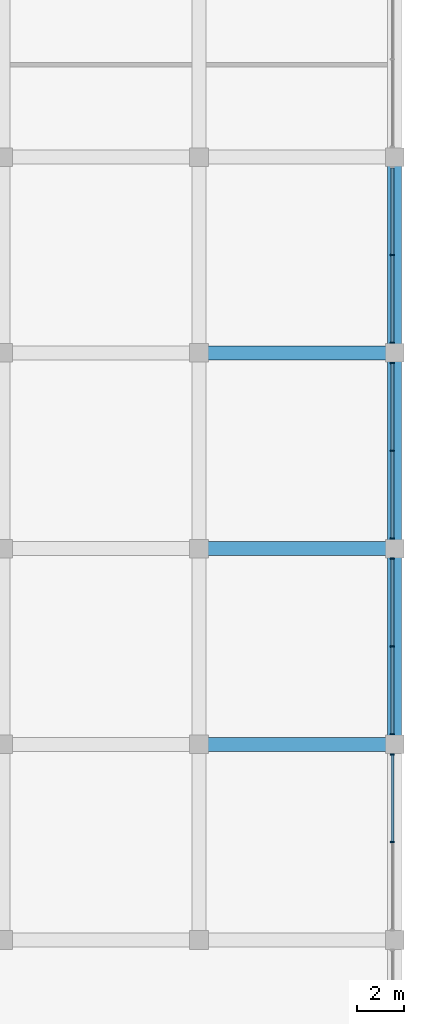
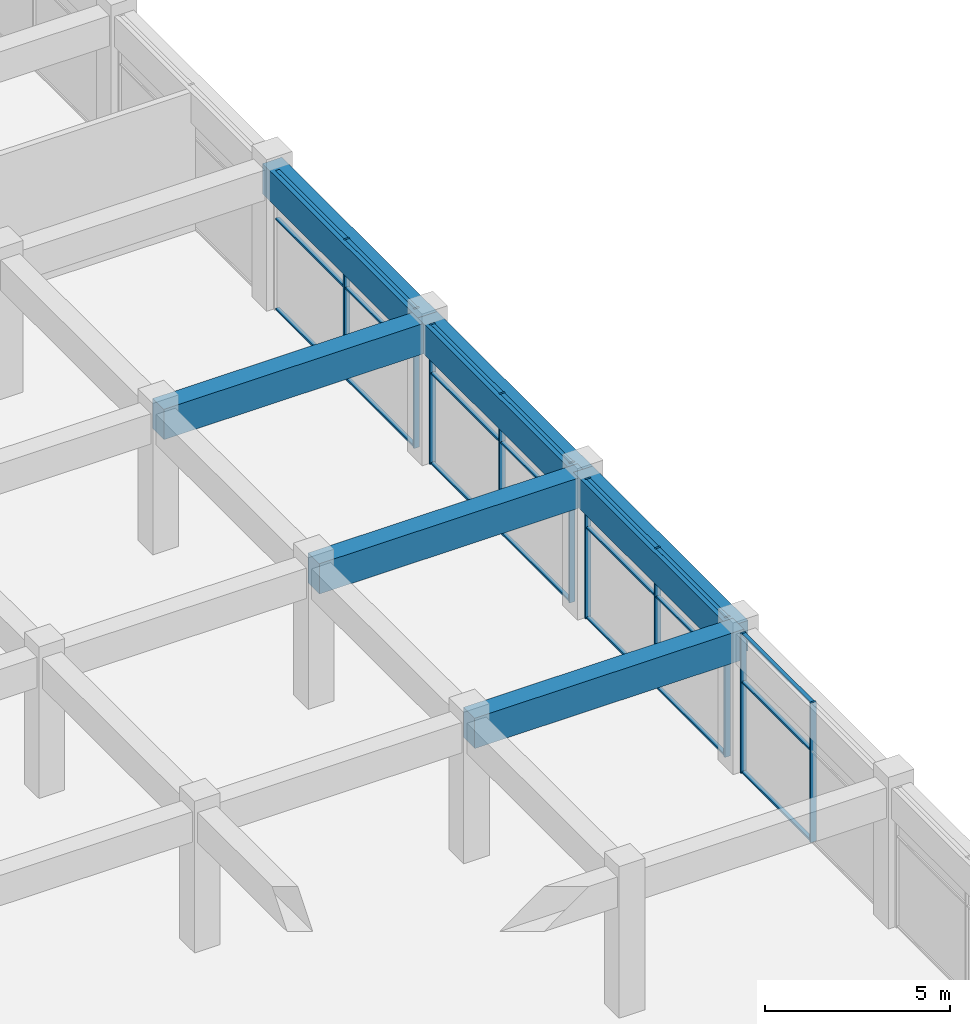
# One storey, part 16 of 33: 31 members, 6 beams, 4 elements without a shape of their own.
"""IFC4 building model written with IfcOpenShell, lengths in metres."""

from ifc_helpers import new_model, si_unit, direction, frame, origin, origin_2d, place, context, subcontext, project, spatial, rectangle, extrude, material, material_profile, profile_set, type_object, element, aggregate, save


model = new_model("IFC4")

# Units and contexts
model_context = context("Model", 3, precision=1e-05, world=origin(), true_north=direction((0.0, 1.0)))
body_context = subcontext(model_context, "Body", "Model", "MODEL_VIEW")
ifc_project = project(units=[si_unit("LENGTHUNIT", "METRE"), si_unit("AREAUNIT", "SQUARE_METRE"), si_unit("VOLUMEUNIT", "CUBIC_METRE"), si_unit("PLANEANGLEUNIT", "RADIAN"), si_unit("MASSUNIT", "GRAM", prefix="KILO")], contexts=[model_context])

# Site, building, storey
site_placement = place(None, origin())
site = spatial("IfcSite", under=ifc_project, at=site_placement, CompositionType="ELEMENT")
building_placement = place(site_placement, origin())
building = spatial("IfcBuilding", under=site, at=building_placement, Name="Impinga Residences", CompositionType="ELEMENT")
storey_placement = place(building_placement, frame((0.0, 0.0, 21.0)))
storey = spatial("IfcBuildingStorey", under=building, at=storey_placement, Name="L04", CompositionType="ELEMENT", Elevation=21.0)

# Curtain wall, members
ifc_material_1 = material(Name="Aluminium stick curtain wall", Category="aluminium")
curtain_wall_type = type_object("IfcCurtainWallType", Name="CW1 podium amenity curtain wall", PredefinedType="USERDEFINED", material=ifc_material_1)
curtain_wall_1_placement = place(storey_placement, origin())
curtain_wall_1 = element("IfcCurtainWall", 1, at=curtain_wall_1_placement, inside=storey, type_object=curtain_wall_type, Name="Curtain wall CW1 L04", ObjectType="STICK CURTAIN WALL", PredefinedType="USERDEFINED")
ifc_material_2 = material(Name="Aluminium mullion", Category="aluminium")
ifc_material_profile_1 = material_profile(ifc_material_2, rectangle(XDim=0.06005859375, YDim=0.179931640625, at=origin_2d()), Name="60x180 mullion")
ifc_profile_set_1 = profile_set([ifc_material_profile_1], Name="Aluminium mullion")
member_type_1 = type_object("IfcMemberType", Name="CW1-M mullion 60x180", PredefinedType="MULLION", material=ifc_profile_set_1)
member_1_placement = place(storey_placement, frame((50.300048828125, 29.39990234375, 0.0), z_axis=(0.0, 0.0, 1.0), x_axis=(0.0, -1.0, 0.0)))
member_1 = element("IfcMember", 2, at=member_1_placement, type_object=member_type_1, Name="CW1 mullion 2", PredefinedType="MULLION", context=body_context, shape_type="SweptSolid", body=[
    extrude(rectangle(XDim=0.06005859375, YDim=0.179931640625, at=origin_2d()), origin(), (0.0, 0.0, 1.0), 4.60009765625),
])
member_2_placement = place(storey_placement, frame((50.300048828125, 25.633056640625, 0.0), z_axis=(0.0, 0.0, 1.0), x_axis=(0.0, -1.0, 0.0)))
member_2 = element("IfcMember", 3, at=member_2_placement, type_object=member_type_1, Name="CW1 mullion 3", PredefinedType="MULLION", context=body_context, shape_type="SweptSolid", body=[
    extrude(rectangle(XDim=0.06005859375, YDim=0.179931640625, at=origin_2d()), origin(), (0.0, 0.0, 1.0), 4.60009765625),
])

curtain_wall_2_placement = place(storey_placement, origin())
curtain_wall_2 = element("IfcCurtainWall", 4, at=curtain_wall_2_placement, inside=storey, type_object=curtain_wall_type, Name="Curtain wall CW1 L04", ObjectType="STICK CURTAIN WALL", PredefinedType="USERDEFINED")
member_3_placement = place(storey_placement, frame((50.300048828125, 24.76708984375, 0.0), z_axis=(0.0, 0.0, 1.0), x_axis=(0.0, -1.0, 0.0)))
member_3 = element("IfcMember", 5, at=member_3_placement, type_object=member_type_1, Name="CW1 mullion 1", PredefinedType="MULLION", context=body_context, shape_type="SweptSolid", body=[
    extrude(rectangle(XDim=0.06005859375, YDim=0.179931640625, at=origin_2d()), origin(), (0.0, 0.0, 1.0), 4.60009765625),
])
member_4_placement = place(storey_placement, frame((50.300048828125, 21.0, 0.0), z_axis=(0.0, 0.0, 1.0), x_axis=(0.0, -1.0, 0.0)))
member_4 = element("IfcMember", 6, at=member_4_placement, type_object=member_type_1, Name="CW1 mullion 2", PredefinedType="MULLION", context=body_context, shape_type="SweptSolid", body=[
    extrude(rectangle(XDim=0.06005859375, YDim=0.179931640625, at=origin_2d()), origin(), (0.0, 0.0, 1.0), 4.60009765625),
])
member_5_placement = place(storey_placement, frame((50.300048828125, 17.23291015625, 0.0), z_axis=(0.0, 0.0, 1.0), x_axis=(0.0, -1.0, 0.0)))
member_5 = element("IfcMember", 7, at=member_5_placement, type_object=member_type_1, Name="CW1 mullion 3", PredefinedType="MULLION", context=body_context, shape_type="SweptSolid", body=[
    extrude(rectangle(XDim=0.06005859375, YDim=0.179931640625, at=origin_2d()), origin(), (0.0, 0.0, 1.0), 4.60009765625),
])

curtain_wall_3_placement = place(storey_placement, origin())
curtain_wall_3 = element("IfcCurtainWall", 8, at=curtain_wall_3_placement, inside=storey, type_object=curtain_wall_type, Name="Curtain wall CW1 L04", ObjectType="STICK CURTAIN WALL", PredefinedType="USERDEFINED")
member_6_placement = place(storey_placement, frame((50.300048828125, 16.366943359375, 0.0), z_axis=(0.0, 0.0, 1.0), x_axis=(0.0, -1.0, 0.0)))
member_6 = element("IfcMember", 9, at=member_6_placement, type_object=member_type_1, Name="CW1 mullion 1", PredefinedType="MULLION", context=body_context, shape_type="SweptSolid", body=[
    extrude(rectangle(XDim=0.06005859375, YDim=0.179931640625, at=origin_2d()), origin(), (0.0, 0.0, 1.0), 4.60009765625),
])
member_7_placement = place(storey_placement, frame((50.300048828125, 12.60009765625, 0.0), z_axis=(0.0, 0.0, 1.0), x_axis=(0.0, -1.0, 0.0)))
member_7 = element("IfcMember", 10, at=member_7_placement, type_object=member_type_1, Name="CW1 mullion 2", PredefinedType="MULLION", context=body_context, shape_type="SweptSolid", body=[
    extrude(rectangle(XDim=0.06005859375, YDim=0.179931640625, at=origin_2d()), origin(), (0.0, 0.0, 1.0), 4.60009765625),
])
member_8_placement = place(storey_placement, frame((50.300048828125, 8.8330078125, 0.0), z_axis=(0.0, 0.0, 1.0), x_axis=(0.0, -1.0, 0.0)))
member_8 = element("IfcMember", 11, at=member_8_placement, type_object=member_type_1, Name="CW1 mullion 3", PredefinedType="MULLION", context=body_context, shape_type="SweptSolid", body=[
    extrude(rectangle(XDim=0.06005859375, YDim=0.179931640625, at=origin_2d()), origin(), (0.0, 0.0, 1.0), 4.60009765625),
])

curtain_wall_4_placement = place(storey_placement, origin())
curtain_wall_4 = element("IfcCurtainWall", 12, at=curtain_wall_4_placement, inside=storey, type_object=curtain_wall_type, Name="Curtain wall CW1 L04", ObjectType="STICK CURTAIN WALL", PredefinedType="USERDEFINED")
member_9_placement = place(storey_placement, frame((50.300048828125, 7.967041015625, 0.0), z_axis=(0.0, 0.0, 1.0), x_axis=(0.0, -1.0, 0.0)))
member_9 = element("IfcMember", 13, at=member_9_placement, type_object=member_type_1, Name="CW1 mullion 1", PredefinedType="MULLION", context=body_context, shape_type="SweptSolid", body=[
    extrude(rectangle(XDim=0.06005859375, YDim=0.179931640625, at=origin_2d()), origin(), (0.0, 0.0, 1.0), 4.60009765625),
])
member_10_placement = place(storey_placement, frame((50.300048828125, 4.199951171875, 0.0), z_axis=(0.0, 0.0, 1.0), x_axis=(0.0, -1.0, 0.0)))
member_10 = element("IfcMember", 14, at=member_10_placement, type_object=member_type_1, Name="CW1 mullion 2", PredefinedType="MULLION", context=body_context, shape_type="SweptSolid", body=[
    extrude(rectangle(XDim=0.06005859375, YDim=0.179931640625, at=origin_2d()), origin(), (0.0, 0.0, 1.0), 4.60009765625),
])

# Member
ifc_material_3 = material(Name="Aluminium transom", Category="aluminium")
ifc_material_profile_2 = material_profile(ifc_material_3, rectangle(XDim=0.06005859375, YDim=0.1201171875, at=origin_2d()), Name="60x120 transom")
ifc_profile_set_2 = profile_set([ifc_material_profile_2], Name="Aluminium transom")
member_type_2 = type_object("IfcMemberType", Name="CW1-T transom 60x120", PredefinedType="USERDEFINED", material=ifc_profile_set_2)
member_11_placement = place(storey_placement, frame((50.300048828125, 33.136962890625, 0.030029296875), z_axis=(0.0, -1.0, 0.0), x_axis=(0.0, 0.0, 1.0)))
member_11 = element("IfcMember", 15, at=member_11_placement, type_object=member_type_2, Name="CW1 transom 1.1", ObjectType="TRANSOM", PredefinedType="USERDEFINED", context=body_context, shape_type="SweptSolid", body=[
    extrude(rectangle(XDim=0.06005859375, YDim=0.1201171875, at=origin_2d()), origin(), (0.0, 0.0, 1.0), 3.70703125),
])

member_12_placement = place(storey_placement, frame((50.300048828125, 33.136962890625, 3.0), z_axis=(0.0, -1.0, 0.0), x_axis=(0.0, 0.0, 1.0)))
member_12 = element("IfcMember", 16, at=member_12_placement, type_object=member_type_2, Name="CW1 transom 1.2", ObjectType="TRANSOM", PredefinedType="USERDEFINED", context=body_context, shape_type="SweptSolid", body=[
    extrude(rectangle(XDim=0.06005859375, YDim=0.1201171875, at=origin_2d()), origin(), (0.0, 0.0, 1.0), 3.70703125),
])

member_13_placement = place(storey_placement, frame((50.300048828125, 33.136962890625, 4.570068359375), z_axis=(0.0, -1.0, 0.0), x_axis=(0.0, 0.0, 1.0)))
member_13 = element("IfcMember", 17, at=member_13_placement, type_object=member_type_2, Name="CW1 transom 1.3", ObjectType="TRANSOM", PredefinedType="USERDEFINED", context=body_context, shape_type="SweptSolid", body=[
    extrude(rectangle(XDim=0.06005859375, YDim=0.1201171875, at=origin_2d()), origin(), (0.0, 0.0, 1.0), 3.70703125),
])

member_14_placement = place(storey_placement, frame((50.300048828125, 29.3701171875, 0.030029296875), z_axis=(0.0, -1.0, 0.0), x_axis=(0.0, 0.0, 1.0)))
member_14 = element("IfcMember", 18, at=member_14_placement, type_object=member_type_2, Name="CW1 transom 2.1", ObjectType="TRANSOM", PredefinedType="USERDEFINED", context=body_context, shape_type="SweptSolid", body=[
    extrude(rectangle(XDim=0.06005859375, YDim=0.1201171875, at=origin_2d()), origin(), (0.0, 0.0, 1.0), 3.70703125),
])

member_15_placement = place(storey_placement, frame((50.300048828125, 29.3701171875, 3.0), z_axis=(0.0, -1.0, 0.0), x_axis=(0.0, 0.0, 1.0)))
member_15 = element("IfcMember", 19, at=member_15_placement, type_object=member_type_2, Name="CW1 transom 2.2", ObjectType="TRANSOM", PredefinedType="USERDEFINED", context=body_context, shape_type="SweptSolid", body=[
    extrude(rectangle(XDim=0.06005859375, YDim=0.1201171875, at=origin_2d()), origin(), (0.0, 0.0, 1.0), 3.70703125),
])

member_16_placement = place(storey_placement, frame((50.300048828125, 29.3701171875, 4.570068359375), z_axis=(0.0, -1.0, 0.0), x_axis=(0.0, 0.0, 1.0)))
member_16 = element("IfcMember", 20, at=member_16_placement, type_object=member_type_2, Name="CW1 transom 2.3", ObjectType="TRANSOM", PredefinedType="USERDEFINED", context=body_context, shape_type="SweptSolid", body=[
    extrude(rectangle(XDim=0.06005859375, YDim=0.1201171875, at=origin_2d()), origin(), (0.0, 0.0, 1.0), 3.70703125),
])

aggregate(curtain_wall_1, [member_1, member_2, member_11, member_12, member_13, member_14, member_15, member_16])

member_17_placement = place(storey_placement, frame((50.300048828125, 24.737060546875, 0.030029296875), z_axis=(0.0, -1.0, 0.0), x_axis=(0.0, 0.0, 1.0)))
member_17 = element("IfcMember", 21, at=member_17_placement, type_object=member_type_2, Name="CW1 transom 1.1", ObjectType="TRANSOM", PredefinedType="USERDEFINED", context=body_context, shape_type="SweptSolid", body=[
    extrude(rectangle(XDim=0.06005859375, YDim=0.1201171875, at=origin_2d()), origin(), (0.0, 0.0, 1.0), 3.70703125),
])

member_18_placement = place(storey_placement, frame((50.300048828125, 24.737060546875, 3.0), z_axis=(0.0, -1.0, 0.0), x_axis=(0.0, 0.0, 1.0)))
member_18 = element("IfcMember", 22, at=member_18_placement, type_object=member_type_2, Name="CW1 transom 1.2", ObjectType="TRANSOM", PredefinedType="USERDEFINED", context=body_context, shape_type="SweptSolid", body=[
    extrude(rectangle(XDim=0.06005859375, YDim=0.1201171875, at=origin_2d()), origin(), (0.0, 0.0, 1.0), 3.70703125),
])

member_19_placement = place(storey_placement, frame((50.300048828125, 24.737060546875, 4.570068359375), z_axis=(0.0, -1.0, 0.0), x_axis=(0.0, 0.0, 1.0)))
member_19 = element("IfcMember", 23, at=member_19_placement, type_object=member_type_2, Name="CW1 transom 1.3", ObjectType="TRANSOM", PredefinedType="USERDEFINED", context=body_context, shape_type="SweptSolid", body=[
    extrude(rectangle(XDim=0.06005859375, YDim=0.1201171875, at=origin_2d()), origin(), (0.0, 0.0, 1.0), 3.70703125),
])

member_20_placement = place(storey_placement, frame((50.300048828125, 20.969970703125, 0.030029296875), z_axis=(0.0, -1.0, 0.0), x_axis=(0.0, 0.0, 1.0)))
member_20 = element("IfcMember", 24, at=member_20_placement, type_object=member_type_2, Name="CW1 transom 2.1", ObjectType="TRANSOM", PredefinedType="USERDEFINED", context=body_context, shape_type="SweptSolid", body=[
    extrude(rectangle(XDim=0.06005859375, YDim=0.1201171875, at=origin_2d()), origin(), (0.0, 0.0, 1.0), 3.70703125),
])

member_21_placement = place(storey_placement, frame((50.300048828125, 20.969970703125, 3.0), z_axis=(0.0, -1.0, 0.0), x_axis=(0.0, 0.0, 1.0)))
member_21 = element("IfcMember", 25, at=member_21_placement, type_object=member_type_2, Name="CW1 transom 2.2", ObjectType="TRANSOM", PredefinedType="USERDEFINED", context=body_context, shape_type="SweptSolid", body=[
    extrude(rectangle(XDim=0.06005859375, YDim=0.1201171875, at=origin_2d()), origin(), (0.0, 0.0, 1.0), 3.70703125),
])

member_22_placement = place(storey_placement, frame((50.300048828125, 20.969970703125, 4.570068359375), z_axis=(0.0, -1.0, 0.0), x_axis=(0.0, 0.0, 1.0)))
member_22 = element("IfcMember", 26, at=member_22_placement, type_object=member_type_2, Name="CW1 transom 2.3", ObjectType="TRANSOM", PredefinedType="USERDEFINED", context=body_context, shape_type="SweptSolid", body=[
    extrude(rectangle(XDim=0.06005859375, YDim=0.1201171875, at=origin_2d()), origin(), (0.0, 0.0, 1.0), 3.70703125),
])

aggregate(curtain_wall_2, [member_3, member_4, member_5, member_17, member_18, member_19, member_20, member_21, member_22])

member_23_placement = place(storey_placement, frame((50.300048828125, 16.3369140625, 0.030029296875), z_axis=(0.0, -1.0, 0.0), x_axis=(0.0, 0.0, 1.0)))
member_23 = element("IfcMember", 27, at=member_23_placement, type_object=member_type_2, Name="CW1 transom 1.1", ObjectType="TRANSOM", PredefinedType="USERDEFINED", context=body_context, shape_type="SweptSolid", body=[
    extrude(rectangle(XDim=0.06005859375, YDim=0.1201171875, at=origin_2d()), origin(), (0.0, 0.0, 1.0), 3.70703125),
])

member_24_placement = place(storey_placement, frame((50.300048828125, 16.3369140625, 3.0), z_axis=(0.0, -1.0, 0.0), x_axis=(0.0, 0.0, 1.0)))
member_24 = element("IfcMember", 28, at=member_24_placement, type_object=member_type_2, Name="CW1 transom 1.2", ObjectType="TRANSOM", PredefinedType="USERDEFINED", context=body_context, shape_type="SweptSolid", body=[
    extrude(rectangle(XDim=0.06005859375, YDim=0.1201171875, at=origin_2d()), origin(), (0.0, 0.0, 1.0), 3.70703125),
])

member_25_placement = place(storey_placement, frame((50.300048828125, 16.3369140625, 4.570068359375), z_axis=(0.0, -1.0, 0.0), x_axis=(0.0, 0.0, 1.0)))
member_25 = element("IfcMember", 29, at=member_25_placement, type_object=member_type_2, Name="CW1 transom 1.3", ObjectType="TRANSOM", PredefinedType="USERDEFINED", context=body_context, shape_type="SweptSolid", body=[
    extrude(rectangle(XDim=0.06005859375, YDim=0.1201171875, at=origin_2d()), origin(), (0.0, 0.0, 1.0), 3.70703125),
])

member_26_placement = place(storey_placement, frame((50.300048828125, 12.570068359375, 0.030029296875), z_axis=(0.0, -1.0, 0.0), x_axis=(0.0, 0.0, 1.0)))
member_26 = element("IfcMember", 30, at=member_26_placement, type_object=member_type_2, Name="CW1 transom 2.1", ObjectType="TRANSOM", PredefinedType="USERDEFINED", context=body_context, shape_type="SweptSolid", body=[
    extrude(rectangle(XDim=0.06005859375, YDim=0.1201171875, at=origin_2d()), origin(), (0.0, 0.0, 1.0), 3.70703125),
])

member_27_placement = place(storey_placement, frame((50.300048828125, 12.570068359375, 3.0), z_axis=(0.0, -1.0, 0.0), x_axis=(0.0, 0.0, 1.0)))
member_27 = element("IfcMember", 31, at=member_27_placement, type_object=member_type_2, Name="CW1 transom 2.2", ObjectType="TRANSOM", PredefinedType="USERDEFINED", context=body_context, shape_type="SweptSolid", body=[
    extrude(rectangle(XDim=0.06005859375, YDim=0.1201171875, at=origin_2d()), origin(), (0.0, 0.0, 1.0), 3.70703125),
])

member_28_placement = place(storey_placement, frame((50.300048828125, 12.570068359375, 4.570068359375), z_axis=(0.0, -1.0, 0.0), x_axis=(0.0, 0.0, 1.0)))
member_28 = element("IfcMember", 32, at=member_28_placement, type_object=member_type_2, Name="CW1 transom 2.3", ObjectType="TRANSOM", PredefinedType="USERDEFINED", context=body_context, shape_type="SweptSolid", body=[
    extrude(rectangle(XDim=0.06005859375, YDim=0.1201171875, at=origin_2d()), origin(), (0.0, 0.0, 1.0), 3.70703125),
])

aggregate(curtain_wall_3, [member_6, member_7, member_8, member_23, member_24, member_25, member_26, member_27, member_28])

member_29_placement = place(storey_placement, frame((50.300048828125, 7.93701171875, 0.030029296875), z_axis=(0.0, -1.0, 0.0), x_axis=(0.0, 0.0, 1.0)))
member_29 = element("IfcMember", 33, at=member_29_placement, type_object=member_type_2, Name="CW1 transom 1.1", ObjectType="TRANSOM", PredefinedType="USERDEFINED", context=body_context, shape_type="SweptSolid", body=[
    extrude(rectangle(XDim=0.06005859375, YDim=0.1201171875, at=origin_2d()), origin(), (0.0, 0.0, 1.0), 3.70703125),
])

member_30_placement = place(storey_placement, frame((50.300048828125, 7.93701171875, 3.0), z_axis=(0.0, -1.0, 0.0), x_axis=(0.0, 0.0, 1.0)))
member_30 = element("IfcMember", 34, at=member_30_placement, type_object=member_type_2, Name="CW1 transom 1.2", ObjectType="TRANSOM", PredefinedType="USERDEFINED", context=body_context, shape_type="SweptSolid", body=[
    extrude(rectangle(XDim=0.06005859375, YDim=0.1201171875, at=origin_2d()), origin(), (0.0, 0.0, 1.0), 3.70703125),
])

member_31_placement = place(storey_placement, frame((50.300048828125, 7.93701171875, 4.570068359375), z_axis=(0.0, -1.0, 0.0), x_axis=(0.0, 0.0, 1.0)))
member_31 = element("IfcMember", 35, at=member_31_placement, type_object=member_type_2, Name="CW1 transom 1.3", ObjectType="TRANSOM", PredefinedType="USERDEFINED", context=body_context, shape_type="SweptSolid", body=[
    extrude(rectangle(XDim=0.06005859375, YDim=0.1201171875, at=origin_2d()), origin(), (0.0, 0.0, 1.0), 3.70703125),
])

aggregate(curtain_wall_4, [member_9, member_10, member_29, member_30, member_31])

# Beams
ifc_material_4 = material(Name="Concrete C60/75", Category="concrete")
ifc_material_profile_3 = material_profile(ifc_material_4, rectangle(XDim=0.60009765625, YDim=1.0, at=origin_2d()), Name="RC 600x1000")
ifc_profile_set_3 = profile_set([ifc_material_profile_3], Name="Concrete C60/75")
beam_type = type_object("IfcBeamType", Name="PB2 600x1000 podium beam", PredefinedType="BEAM", material=ifc_profile_set_3)
for number, where, z_axis, x_axis, name in (
    (36, (42.0, 8.39990234375, 4.10009765625), (1.0, 0.0, 0.0), (0.0, 1.0, 0.0), "Beam PB2 G/12-13 level L05"),
    (37, (42.0, 16.800048828125, 4.10009765625), (1.0, 0.0, 0.0), (0.0, 1.0, 0.0), "Beam PB2 H/12-13 level L05"),
    (38, (42.0, 25.199951171875, 4.10009765625), (1.0, 0.0, 0.0), (0.0, 1.0, 0.0), "Beam PB2 J/12-13 level L05"),
):
    element("IfcBeam", number, at=place(storey_placement, frame(where, z_axis=z_axis, x_axis=x_axis)), inside=storey, type_object=beam_type, Name=name, PredefinedType="BEAM", context=body_context, shape_type="SweptSolid", body=[
        extrude(rectangle(XDim=0.60009765625, YDim=1.0, at=origin_2d()), origin(), (0.0, 0.0, 1.0), 8.39990234375),
    ])
beam_1_placement = place(storey_placement, frame((50.39990234375, 8.39990234375, 4.10009765625), z_axis=(0.0, 1.0, 0.0), x_axis=(-1.0, 0.0, 0.0)))
element("IfcBeam", 39, at=beam_1_placement, inside=storey, type_object=beam_type, Name="Beam PB2 13/G-H level L05", PredefinedType="BEAM", context=body_context, shape_type="SweptSolid", body=[
    extrude(rectangle(XDim=0.60009765625, YDim=1.0, at=origin_2d()), origin(), (0.0, 0.0, 1.0), 8.400146484375),
])
beam_2_placement = place(storey_placement, frame((50.39990234375, 16.800048828125, 4.10009765625), z_axis=(0.0, 1.0, 0.0), x_axis=(-1.0, 0.0, 0.0)))
element("IfcBeam", 40, at=beam_2_placement, inside=storey, type_object=beam_type, Name="Beam PB2 13/H-J level L05", PredefinedType="BEAM", context=body_context, shape_type="SweptSolid", body=[
    extrude(rectangle(XDim=0.60009765625, YDim=1.0, at=origin_2d()), origin(), (0.0, 0.0, 1.0), 8.39990234375),
])
beam_3_placement = place(storey_placement, frame((50.39990234375, 25.199951171875, 4.10009765625), z_axis=(0.0, 1.0, 0.0), x_axis=(-1.0, 0.0, 0.0)))
element("IfcBeam", 41, at=beam_3_placement, inside=storey, type_object=beam_type, Name="Beam PB2 13/J-K level L05", PredefinedType="BEAM", context=body_context, shape_type="SweptSolid", body=[
    extrude(rectangle(XDim=0.60009765625, YDim=1.0, at=origin_2d()), origin(), (0.0, 0.0, 1.0), 8.400146484375),
])

save(model, "model.ifc")
